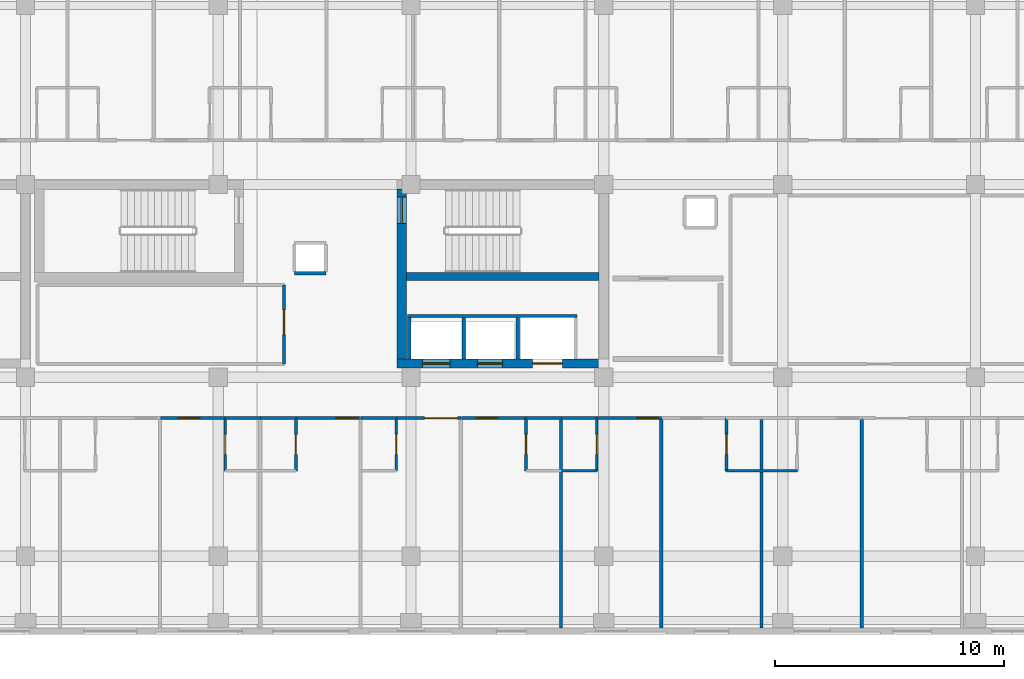
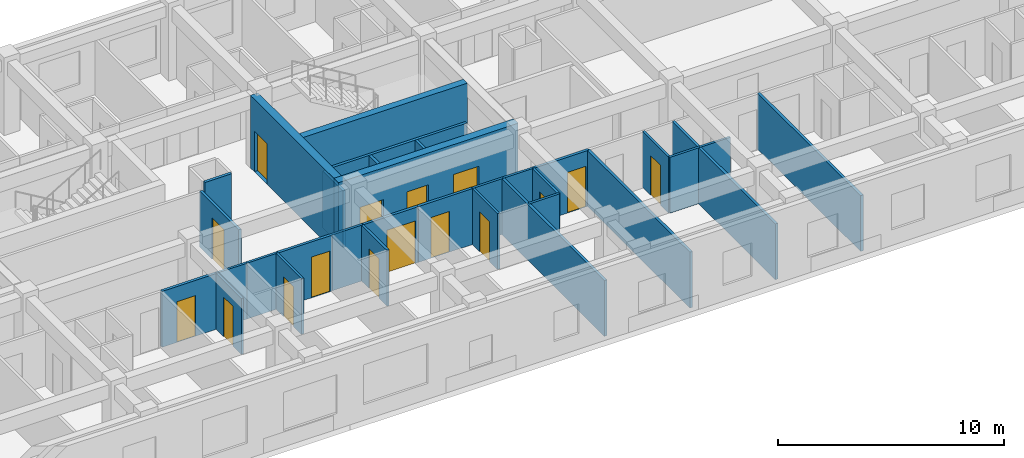
# One storey, part 99 of 127: 32 walls, 16 doors, 16 openings.
"""IFC4 building model written with IfcOpenShell, lengths in metres."""

from ifc_helpers import new_model, si_unit, direction, frame, frame_2d, origin, place, context, subcontext, project, spatial, rectangle, extrude, material, layer, layer_set, type_object, element, fill, save


model = new_model("IFC4")

# Units and contexts
model_context = context("Model", 3, precision=1e-05, world=origin(), true_north=direction((0.0, 1.0)))
body_context = subcontext(model_context, "Body", "Model", "MODEL_VIEW")
ifc_project = project(units=[si_unit("LENGTHUNIT", "METRE"), si_unit("AREAUNIT", "SQUARE_METRE"), si_unit("VOLUMEUNIT", "CUBIC_METRE"), si_unit("PLANEANGLEUNIT", "RADIAN"), si_unit("MASSUNIT", "GRAM", prefix="KILO")], contexts=[model_context])

# Site, building, storey
site_placement = place(None, origin())
site = spatial("IfcSite", under=ifc_project, at=site_placement, CompositionType="ELEMENT")
building_placement = place(site_placement, origin())
building = spatial("IfcBuilding", under=site, at=building_placement, Name="Zayran Congress Hotel", CompositionType="ELEMENT")
storey_placement = place(building_placement, frame((0.0, 0.0, 10.800048828125)))
storey = spatial("IfcBuildingStorey", under=building, at=storey_placement, Name="L02", CompositionType="ELEMENT", Elevation=10.800048828125)

# Wall, openings, doors
ifc_material_1 = material(Name="Concrete C40/50", Category="concrete")
ifc_layer_1 = layer(ifc_material_1, 0.39990234375)
ifc_layer_set_1 = layer_set([ifc_layer_1], Name="Concrete C40/50")
wall_type_1 = type_object("IfcWallType", Name="WL-SH-400", PredefinedType="SHEAR", material=ifc_layer_set_1)
wall_1_placement = place(storey_placement, frame((49.800048828125, 17.800048828125, 0.0), z_axis=(0.0, 0.0, 1.0), x_axis=(1.0, 0.0, 0.0)))
wall_1 = element("IfcWall", 1, at=wall_1_placement, inside=storey, type_object=wall_type_1, Name="CWALL-C-V5E-L02-S", PredefinedType="SHEAR", context=body_context, shape_type="SweptSolid", body=[
    extrude(rectangle(XDim=9.199951171875, YDim=0.39990234375, at=frame_2d((4.60009765625, 0.0))), origin(), (0.0, 0.0, 1.0), 3.919921875),
])
opening_1_placement = place(wall_1_placement, frame((1.10009765625, 0.0, 0.0)))
opening_1 = element("IfcOpeningElement", 2, at=opening_1_placement, cuts=wall_1, Name="Opening LD-FL02", PredefinedType="OPENING", context=body_context, shape_type="SweptSolid", body=[
    extrude(rectangle(XDim=1.199951171875, YDim=2.199951171875, at=frame_2d((0.60009765625, 1.10009765625))), frame((0.0, 0.2099609375, 0.0), z_axis=(0.0, -1.0, 0.0), x_axis=(1.0, 0.0, 0.0)), (0.0, 0.0, 1.0), 0.419921875),
])
opening_2_placement = place(wall_1_placement, frame((3.5, 0.0, 0.0)))
opening_2 = element("IfcOpeningElement", 3, at=opening_2_placement, cuts=wall_1, Name="Opening LD-PL03", PredefinedType="OPENING", context=body_context, shape_type="SweptSolid", body=[
    extrude(rectangle(XDim=1.10009765625, YDim=2.199951171875, at=frame_2d((0.550048828125, 1.10009765625))), frame((0.0, 0.2099609375, 0.0), z_axis=(0.0, -1.0, 0.0), x_axis=(1.0, 0.0, 0.0)), (0.0, 0.0, 1.0), 0.419921875),
])
opening_3_placement = place(wall_1_placement, frame((5.89990234375, 0.0, 0.0)))
opening_3 = element("IfcOpeningElement", 4, at=opening_3_placement, cuts=wall_1, Name="Opening LD-SV01", PredefinedType="OPENING", context=body_context, shape_type="SweptSolid", body=[
    extrude(rectangle(XDim=1.300048828125, YDim=2.300048828125, at=frame_2d((0.64990234375, 1.14990234375))), frame((0.0, 0.2099609375, 0.0), z_axis=(0.0, -1.0, 0.0), x_axis=(1.0, 0.0, 0.0)), (0.0, 0.0, 1.0), 0.419921875),
])
ifc_material_2 = material(Name="Brushed stainless steel sliding lift landing door", Category="steel")
door_type_1 = type_object("IfcDoorType", Name="TP-DR-LD-01", OperationType="DOUBLE_DOOR_SLIDING", PredefinedType="DOOR", material=ifc_material_2)
door_1_placement = place(opening_2_placement, origin())
door_1 = element("IfcDoor", 5, at=door_1_placement, inside=storey, type_object=door_type_1, Name="Lift PL-03 Sliding Landing Door L02", OperationType="DOUBLE_DOOR_SLIDING", OverallHeight=2.199951171875, OverallWidth=1.10009765625, PredefinedType="DOOR", context=body_context, shape_type="SweptSolid", body=[
    extrude(rectangle(XDim=1.10009765625, YDim=2.199951171875, at=frame_2d((0.550048828125, 1.10009765625))), frame((0.0, 0.02490234375, 0.0), z_axis=(0.0, -1.0, 0.0), x_axis=(1.0, 0.0, 0.0)), (0.0, 0.0, 1.0), 0.050048828125),
])
fill(opening_2, door_1)
ifc_material_3 = material(Name="Brushed stainless steel firefighting lift landing door", Category="steel")
door_type_2 = type_object("IfcDoorType", Name="TP-DR-LD-02", OperationType="DOUBLE_DOOR_SLIDING", PredefinedType="DOOR", material=ifc_material_3)
door_2_placement = place(opening_1_placement, origin())
door_2 = element("IfcDoor", 6, at=door_2_placement, inside=storey, type_object=door_type_2, Name="Lift FL-02 Sliding Landing Door L02", OperationType="DOUBLE_DOOR_SLIDING", OverallHeight=2.199951171875, OverallWidth=1.199951171875, PredefinedType="DOOR", context=body_context, shape_type="SweptSolid", body=[
    extrude(rectangle(XDim=1.199951171875, YDim=2.199951171875, at=frame_2d((0.60009765625, 1.10009765625))), frame((0.0, 0.02490234375, 0.0), z_axis=(0.0, -1.0, 0.0), x_axis=(1.0, 0.0, 0.0)), (0.0, 0.0, 1.0), 0.050048828125),
])
fill(opening_1, door_2)
ifc_material_4 = material(Name="Heavy-duty stainless steel service lift landing door", Category="steel")
door_type_3 = type_object("IfcDoorType", Name="TP-DR-LD-03", OperationType="DOUBLE_DOOR_SLIDING", PredefinedType="DOOR", material=ifc_material_4)
door_3_placement = place(opening_3_placement, origin())
door_3 = element("IfcDoor", 7, at=door_3_placement, inside=storey, type_object=door_type_3, Name="Lift SV-01 Sliding Landing Door L02", OperationType="DOUBLE_DOOR_SLIDING", OverallHeight=2.300048828125, OverallWidth=1.300048828125, PredefinedType="DOOR", context=body_context, shape_type="SweptSolid", body=[
    extrude(rectangle(XDim=1.300048828125, YDim=2.300048828125, at=frame_2d((0.64990234375, 1.14990234375))), frame((0.0, 0.02490234375, 0.0), z_axis=(0.0, -1.0, 0.0), x_axis=(1.0, 0.0, 0.0)), (0.0, 0.0, 1.0), 0.050048828125),
])
fill(opening_3, door_3)

# Wall, opening, door
wall_2_placement = place(storey_placement, frame((50.0, 25.39990234375, 0.0), z_axis=(0.0, 0.0, 1.0), x_axis=(0.0, -1.0, 0.0)))
wall_2 = element("IfcWall", 8, at=wall_2_placement, inside=storey, type_object=wall_type_1, Name="CWALL-C-V5E-L02-W", PredefinedType="SHEAR", context=body_context, shape_type="SweptSolid", body=[
    extrude(rectangle(XDim=7.39990234375, YDim=0.39990234375, at=frame_2d((3.699951171875, 0.0))), origin(), (0.0, 0.0, 1.0), 3.919921875),
])
opening_4_placement = place(wall_2_placement, frame((0.35009765625, 0.0, 0.0)))
opening_4 = element("IfcOpeningElement", 9, at=opening_4_placement, cuts=wall_2, Name="Opening DR-FD-90", PredefinedType="OPENING", context=body_context, shape_type="SweptSolid", body=[
    extrude(rectangle(XDim=1.14990234375, YDim=2.199951171875, at=frame_2d((0.574951171875, 1.10009765625))), frame((0.0, 0.2099609375, 0.0), z_axis=(0.0, -1.0, 0.0), x_axis=(1.0, 0.0, 0.0)), (0.0, 0.0, 1.0), 0.419921875),
])
ifc_material_5 = material(Name="Painted steel fire door assembly", Category="steel")
door_type_4 = type_object("IfcDoorType", Name="TP-DR-FD-90", OperationType="NOTDEFINED", PredefinedType="DOOR", material=ifc_material_5)
door_4_placement = place(opening_4_placement, origin())
door_4 = element("IfcDoor", 10, at=door_4_placement, inside=storey, type_object=door_type_4, Name="ST-02 Exit Stair Door L02", OperationType="SINGLE_SWING_LEFT", OverallHeight=2.199951171875, OverallWidth=1.14990234375, PredefinedType="DOOR", context=body_context, shape_type="SweptSolid", body=[
    extrude(rectangle(XDim=1.14990234375, YDim=2.199951171875, at=frame_2d((0.574951171875, 1.10009765625))), frame((0.0, 0.02490234375, 0.0), z_axis=(0.0, -1.0, 0.0), x_axis=(1.0, 0.0, 0.0)), (0.0, 0.0, 1.0), 0.050048828125),
])
fill(opening_4, door_4)

# Walls
ifc_layer_2 = layer(ifc_material_1, 0.35009765625)
ifc_layer_set_2 = layer_set([ifc_layer_2], Name="Concrete C40/50")
wall_type_2 = type_object("IfcWallType", Name="WL-SH-350", PredefinedType="SHEAR", material=ifc_layer_set_2)
wall_3_placement = place(storey_placement, frame((50.199951171875, 21.5849609375, 0.0), z_axis=(0.0, 0.0, 1.0), x_axis=(1.0, 0.0, 0.0)))
element("IfcWall", 11, at=wall_3_placement, inside=storey, type_object=wall_type_2, Name="CWALL-C-V5E-L02-SPN", PredefinedType="SHEAR", context=body_context, shape_type="SweptSolid", body=[
    extrude(rectangle(XDim=8.400146484375, YDim=0.35009765625, at=frame_2d((4.2001953125, 0.0))), origin(), (0.0, 0.0, 1.0), 3.919921875),
])
ifc_material_6 = material(Name="Hospitality guestroom acoustic partition", Category="gypsum")
ifc_layer_3 = layer(ifc_material_6, 0.139892578125)
ifc_layer_set_3 = layer_set([ifc_layer_3], Name="Hospitality guestroom acoustic partition")
wall_type_3 = type_object("IfcWallType", Name="WL-PT-140", PredefinedType="PARTITIONING", material=ifc_layer_set_3)
for number, where, z_axis, x_axis, name in (
    (12, (50.330078125, 18.0, 0.0), (0.0, 0.0, 1.0), (0.0, 1.0, 0.0), "LSHW-C-V5E-L02-W"),
    (13, (52.699951171875, 18.0, 0.0), (0.0, 0.0, 1.0), (0.0, 1.0, 0.0), "LSHW-C-V5E-L02-DIV1"),
    (14, (55.050048828125, 18.0, 0.0), (0.0, 0.0, 1.0), (0.0, 1.0, 0.0), "LSHW-C-V5E-L02-DIV2"),
):
    element("IfcWall", number, at=place(storey_placement, frame(where, z_axis=z_axis, x_axis=x_axis)), inside=storey, type_object=wall_type_3, Name=name, PredefinedType="PARTITIONING", context=body_context, shape_type="SweptSolid", body=[
        extrude(rectangle(XDim=1.800048828125, YDim=0.139892578125, at=frame_2d((0.89990234375, 0.0))), origin(), (0.0, 0.0, 1.0), 3.070068359375),
    ])
wall_4_placement = place(storey_placement, frame((50.260009765625, 19.8701171875, 0.0), z_axis=(0.0, 0.0, 1.0), x_axis=(1.0, 0.0, 0.0)))
element("IfcWall", 15, at=wall_4_placement, inside=storey, type_object=wall_type_3, Name="LSHW-C-V5E-L02-N", PredefinedType="PARTITIONING", context=body_context, shape_type="SweptSolid", body=[
    extrude(rectangle(XDim=7.3798828125, YDim=0.139892578125, at=frame_2d((3.68994140625, 0.0))), origin(), (0.0, 0.0, 1.0), 3.070068359375),
])

# Wall, opening, door
wall_5_placement = place(storey_placement, frame((44.8701171875, 17.77001953125, 0.0), z_axis=(0.0, 0.0, 1.0), x_axis=(0.0, 1.0, 0.0)))
wall_5 = element("IfcWall", 16, at=wall_5_placement, inside=storey, type_object=wall_type_3, Name="IW-L02-0513", PredefinedType="PARTITIONING", context=body_context, shape_type="SweptSolid", body=[
    extrude(rectangle(XDim=3.4599609375, YDim=0.139892578125, at=frame_2d((1.72998046875, 0.0))), origin(), (0.0, 0.0, 1.0), 3.02001953125),
])
opening_5_placement = place(wall_5_placement, frame((1.283935546875, 0.0, 0.0)))
opening_5 = element("IfcOpeningElement", 17, at=opening_5_placement, cuts=wall_5, Name="Opening DR-MT-01", PredefinedType="OPENING", context=body_context, shape_type="SweptSolid", body=[
    extrude(rectangle(XDim=1.080078125, YDim=2.25, at=frame_2d((0.5400390625, 1.125))), frame((0.0, 0.079833984375, 0.0), z_axis=(0.0, -1.0, 0.0), x_axis=(1.0, 0.0, 0.0)), (0.0, 0.0, 1.0), 0.159912109375),
])
ifc_material_7 = material(Name="Acoustic timber seminar room door", Category="wood")
door_type_5 = type_object("IfcDoorType", Name="TP-DR-MT-01", OperationType="NOTDEFINED", PredefinedType="DOOR", material=ifc_material_7)
door_5_placement = place(opening_5_placement, origin())
door_5 = element("IfcDoor", 18, at=door_5_placement, inside=storey, type_object=door_type_5, Name="Hospitality Gallery Lounge L02 Door", OperationType="SINGLE_SWING_RIGHT", OverallHeight=2.25, OverallWidth=1.080078125, PredefinedType="DOOR", context=body_context, shape_type="SweptSolid", body=[
    extrude(rectangle(XDim=1.080078125, YDim=2.25, at=frame_2d((0.5400390625, 1.125))), frame((0.0, 0.02490234375, 0.0), z_axis=(0.0, -1.0, 0.0), x_axis=(1.0, 0.0, 0.0)), (0.0, 0.0, 1.0), 0.050048828125),
])
fill(opening_5, door_5)

wall_6_placement = place(storey_placement, frame((39.489013671875, 15.419921875, 0.0), z_axis=(0.0, 0.0, 1.0), x_axis=(1.0, 0.0, 0.0)))
wall_6 = element("IfcWall", 19, at=wall_6_placement, inside=storey, type_object=wall_type_3, Name="IW-L02-0523", PredefinedType="PARTITIONING", context=body_context, shape_type="SweptSolid", body=[
    extrude(rectangle(XDim=2.819091796875, YDim=0.139892578125, at=frame_2d((1.40966796875, 0.0))), origin(), (0.0, 0.0, 1.0), 3.02001953125),
])
opening_6_placement = place(wall_6_placement, frame((0.76806640625, 0.0, 0.0)))
opening_6 = element("IfcOpeningElement", 20, at=opening_6_placement, cuts=wall_6, Name="Opening DR-GR-01", PredefinedType="OPENING", context=body_context, shape_type="SweptSolid", body=[
    extrude(rectangle(XDim=0.93994140625, YDim=2.199951171875, at=frame_2d((0.469970703125, 1.10009765625))), frame((0.0, 0.079833984375, 0.0), z_axis=(0.0, -1.0, 0.0), x_axis=(1.0, 0.0, 0.0)), (0.0, 0.0, 1.0), 0.159912109375),
])
ifc_material_8 = material(Name="Acoustic walnut veneer fire-rated entry door", Category="wood")
door_type_6 = type_object("IfcDoorType", Name="TP-DR-GR-01", OperationType="NOTDEFINED", PredefinedType="DOOR", material=ifc_material_8)
door_6_placement = place(opening_6_placement, origin())
door_6 = element("IfcDoor", 21, at=door_6_placement, inside=storey, type_object=door_type_6, Name="Guest Room L02-08 Door", OperationType="SINGLE_SWING_LEFT", OverallHeight=2.199951171875, OverallWidth=0.93994140625, PredefinedType="DOOR", context=body_context, shape_type="SweptSolid", body=[
    extrude(rectangle(XDim=0.93994140625, YDim=2.199951171875, at=frame_2d((0.469970703125, 1.10009765625))), frame((0.0, 0.02490234375, 0.0), z_axis=(0.0, -1.0, 0.0), x_axis=(1.0, 0.0, 0.0)), (0.0, 0.0, 1.0), 0.050048828125),
])
fill(opening_6, door_6)

wall_7_placement = place(storey_placement, frame((45.385986328125, 15.419921875, 0.0), z_axis=(0.0, 0.0, 1.0), x_axis=(1.0, 0.0, 0.0)))
wall_7 = element("IfcWall", 22, at=wall_7_placement, inside=storey, type_object=wall_type_3, Name="IW-L02-0524", PredefinedType="PARTITIONING", context=body_context, shape_type="SweptSolid", body=[
    extrude(rectangle(XDim=2.820068359375, YDim=0.139892578125, at=frame_2d((1.41015625, 0.0))), origin(), (0.0, 0.0, 1.0), 3.02001953125),
])
opening_7_placement = place(wall_7_placement, frame((1.739990234375, 0.0, 0.0)))
opening_7 = element("IfcOpeningElement", 23, at=opening_7_placement, cuts=wall_7, Name="Opening DR-GR-01", PredefinedType="OPENING", context=body_context, shape_type="SweptSolid", body=[
    extrude(rectangle(XDim=0.93994140625, YDim=2.199951171875, at=frame_2d((0.469970703125, 1.10009765625))), frame((0.0, 0.079833984375, 0.0), z_axis=(0.0, -1.0, 0.0), x_axis=(1.0, 0.0, 0.0)), (0.0, 0.0, 1.0), 0.159912109375),
])
door_7_placement = place(opening_7_placement, origin())
door_7 = element("IfcDoor", 24, at=door_7_placement, inside=storey, type_object=door_type_6, Name="Guest Room L02-09 Door", OperationType="SINGLE_SWING_RIGHT", OverallHeight=2.199951171875, OverallWidth=0.93994140625, PredefinedType="DOOR", context=body_context, shape_type="SweptSolid", body=[
    extrude(rectangle(XDim=0.93994140625, YDim=2.199951171875, at=frame_2d((0.469970703125, 1.10009765625))), frame((0.0, 0.02490234375, 0.0), z_axis=(0.0, -1.0, 0.0), x_axis=(1.0, 0.0, 0.0)), (0.0, 0.0, 1.0), 0.050048828125),
])
fill(opening_7, door_7)

wall_8_placement = place(storey_placement, frame((49.7548828125, 15.419921875, 0.0), z_axis=(0.0, 0.0, 1.0), x_axis=(1.0, 0.0, 0.0)))
wall_8 = element("IfcWall", 25, at=wall_8_placement, inside=storey, type_object=wall_type_3, Name="IW-L02-0525", PredefinedType="PARTITIONING", context=body_context, shape_type="SweptSolid", body=[
    extrude(rectangle(XDim=2.819091796875, YDim=0.139892578125, at=frame_2d((1.40966796875, 0.0))), origin(), (0.0, 0.0, 1.0), 3.02001953125),
])
opening_8_placement = place(wall_8_placement, frame((1.22900390625, 0.0, 0.0)))
opening_8 = element("IfcOpeningElement", 26, at=opening_8_placement, cuts=wall_8, Name="Opening DR-ST-01", PredefinedType="OPENING", context=body_context, shape_type="SweptSolid", body=[
    extrude(rectangle(XDim=1.449951171875, YDim=2.300048828125, at=frame_2d((0.72509765625, 1.14990234375))), frame((0.0, 0.079833984375, 0.0), z_axis=(0.0, -1.0, 0.0), x_axis=(1.0, 0.0, 0.0)), (0.0, 0.0, 1.0), 0.159912109375),
])
ifc_material_9 = material(Name="Double walnut veneer suite entry door", Category="wood")
door_type_7 = type_object("IfcDoorType", Name="TP-DR-ST-01", OperationType="DOUBLE_DOOR_SINGLE_SWING", PredefinedType="DOOR", material=ifc_material_9)
door_8_placement = place(opening_8_placement, origin())
door_8 = element("IfcDoor", 27, at=door_8_placement, inside=storey, type_object=door_type_7, Name="Junior Suite L02-10 Door", OperationType="DOUBLE_DOOR_SINGLE_SWING", OverallHeight=2.300048828125, OverallWidth=1.449951171875, PredefinedType="DOOR", context=body_context, shape_type="SweptSolid", body=[
    extrude(rectangle(XDim=1.449951171875, YDim=2.300048828125, at=frame_2d((0.72509765625, 1.14990234375))), frame((0.0, 0.02490234375, 0.0), z_axis=(0.0, -1.0, 0.0), x_axis=(1.0, 0.0, 0.0)), (0.0, 0.0, 1.0), 0.050048828125),
])
fill(opening_8, door_8)

wall_9_placement = place(storey_placement, frame((52.593994140625, 15.419921875, 0.0), z_axis=(0.0, 0.0, 1.0), x_axis=(1.0, 0.0, 0.0)))
wall_9 = element("IfcWall", 28, at=wall_9_placement, inside=storey, type_object=wall_type_3, Name="IW-L02-0526", PredefinedType="PARTITIONING", context=body_context, shape_type="SweptSolid", body=[
    extrude(rectangle(XDim=2.820068359375, YDim=0.139892578125, at=frame_2d((1.41015625, 0.0))), origin(), (0.0, 0.0, 1.0), 3.02001953125),
])
opening_9_placement = place(wall_9_placement, frame((0.654052734375, 0.0, 0.0)))
opening_9 = element("IfcOpeningElement", 29, at=opening_9_placement, cuts=wall_9, Name="Opening DR-GR-01", PredefinedType="OPENING", context=body_context, shape_type="SweptSolid", body=[
    extrude(rectangle(XDim=0.93994140625, YDim=2.199951171875, at=frame_2d((0.469970703125, 1.10009765625))), frame((0.0, 0.079833984375, 0.0), z_axis=(0.0, -1.0, 0.0), x_axis=(1.0, 0.0, 0.0)), (0.0, 0.0, 1.0), 0.159912109375),
])
door_9_placement = place(opening_9_placement, origin())
door_9 = element("IfcDoor", 30, at=door_9_placement, inside=storey, type_object=door_type_6, Name="Guest Room L02-11 Door", OperationType="SINGLE_SWING_LEFT", OverallHeight=2.199951171875, OverallWidth=0.93994140625, PredefinedType="DOOR", context=body_context, shape_type="SweptSolid", body=[
    extrude(rectangle(XDim=0.93994140625, YDim=2.199951171875, at=frame_2d((0.469970703125, 1.10009765625))), frame((0.0, 0.02490234375, 0.0), z_axis=(0.0, -1.0, 0.0), x_axis=(1.0, 0.0, 0.0)), (0.0, 0.0, 1.0), 0.050048828125),
])
fill(opening_9, door_9)

wall_10_placement = place(storey_placement, frame((58.491943359375, 15.419921875, 0.0), z_axis=(0.0, 0.0, 1.0), x_axis=(1.0, 0.0, 0.0)))
wall_10 = element("IfcWall", 31, at=wall_10_placement, inside=storey, type_object=wall_type_3, Name="IW-L02-0527", PredefinedType="PARTITIONING", context=body_context, shape_type="SweptSolid", body=[
    extrude(rectangle(XDim=2.819091796875, YDim=0.139892578125, at=frame_2d((1.40966796875, 0.0))), origin(), (0.0, 0.0, 1.0), 3.02001953125),
])
opening_10_placement = place(wall_10_placement, frame((1.739013671875, 0.0, 0.0)))
opening_10 = element("IfcOpeningElement", 32, at=opening_10_placement, cuts=wall_10, Name="Opening DR-GR-01", PredefinedType="OPENING", context=body_context, shape_type="SweptSolid", body=[
    extrude(rectangle(XDim=0.93994140625, YDim=2.199951171875, at=frame_2d((0.469970703125, 1.10009765625))), frame((0.0, 0.079833984375, 0.0), z_axis=(0.0, -1.0, 0.0), x_axis=(1.0, 0.0, 0.0)), (0.0, 0.0, 1.0), 0.159912109375),
])
door_10_placement = place(opening_10_placement, origin())
door_10 = element("IfcDoor", 33, at=door_10_placement, inside=storey, type_object=door_type_6, Name="Guest Room L02-12 Door", OperationType="SINGLE_SWING_RIGHT", OverallHeight=2.199951171875, OverallWidth=0.93994140625, PredefinedType="DOOR", context=body_context, shape_type="SweptSolid", body=[
    extrude(rectangle(XDim=0.93994140625, YDim=2.199951171875, at=frame_2d((0.469970703125, 1.10009765625))), frame((0.0, 0.02490234375, 0.0), z_axis=(0.0, -1.0, 0.0), x_axis=(1.0, 0.0, 0.0)), (0.0, 0.0, 1.0), 0.050048828125),
])
fill(opening_10, door_10)

# Walls
for number, where, z_axis, x_axis, name in (
    (34, (56.943115234375, 6.280029296875, 0.0), (0.0, 0.0, 1.0), (0.0, 1.0, 0.0), "IW-L02-1842"),
    (35, (61.31103515625, 6.280029296875, 0.0), (0.0, 0.0, 1.0), (0.0, 1.0, 0.0), "IW-L02-1843"),
    (36, (65.678955078125, 6.280029296875, 0.0), (0.0, 0.0, 1.0), (0.0, 1.0, 0.0), "IW-L02-1844"),
    (37, (70.048095703125, 6.280029296875, 0.0), (0.0, 0.0, 1.0), (0.0, 1.0, 0.0), "IW-L02-1845"),
):
    element("IfcWall", number, at=place(storey_placement, frame(where, z_axis=z_axis, x_axis=x_axis)), inside=storey, type_object=wall_type_3, Name=name, PredefinedType="PARTITIONING", context=body_context, shape_type="SweptSolid", body=[
        extrude(rectangle(XDim=9.14990234375, YDim=0.139892578125, at=frame_2d((4.574951171875, 0.0))), origin(), (0.0, 0.0, 1.0), 3.02001953125),
    ])
wall_11_placement = place(storey_placement, frame((45.330078125, 21.72998046875, 0.0), z_axis=(0.0, 0.0, 1.0), x_axis=(1.0, 0.0, 0.0)))
element("IfcWall", 38, at=wall_11_placement, inside=storey, type_object=wall_type_3, Name="RSWL-V5-L02-030-S", PredefinedType="PARTITIONING", context=body_context, shape_type="SweptSolid", body=[
    extrude(rectangle(XDim=1.35986328125, YDim=0.139892578125, at=frame_2d((0.679931640625, 0.0))), origin(), (0.0, 0.0, 1.0), 3.0400390625),
])

# Wall, opening, door
ifc_material_10 = material(Name="Moisture-resistant bathroom partition", Category="gypsum")
ifc_layer_4 = layer(ifc_material_10, 0.1201171875)
ifc_layer_set_4 = layer_set([ifc_layer_4], Name="Moisture-resistant bathroom partition")
wall_type_4 = type_object("IfcWallType", Name="WL-PT-120", PredefinedType="PARTITIONING", material=ifc_layer_set_4)
wall_12_placement = place(storey_placement, frame((42.30810546875, 13.1201171875, 0.0), z_axis=(0.0, 0.0, 1.0), x_axis=(0.0, 1.0, 0.0)))
wall_12 = element("IfcWall", 39, at=wall_12_placement, inside=storey, type_object=wall_type_4, Name="IW-L02-0060", PredefinedType="PARTITIONING", context=body_context, shape_type="SweptSolid", body=[
    extrude(rectangle(XDim=2.309814453125, YDim=0.1201171875, at=frame_2d((1.15478515625, 0.0))), origin(), (0.0, 0.0, 1.0), 3.02001953125),
])
opening_11_placement = place(wall_12_placement, frame((0.715087890625, 0.0, 0.0)))
opening_11 = element("IfcOpeningElement", 40, at=opening_11_placement, cuts=wall_12, Name="Opening DR-BT-01", PredefinedType="OPENING", context=body_context, shape_type="SweptSolid", body=[
    extrude(rectangle(XDim=0.8798828125, YDim=2.14990234375, at=frame_2d((0.43994140625, 1.074951171875))), frame((0.0, 0.070068359375, 0.0), z_axis=(0.0, -1.0, 0.0), x_axis=(1.0, 0.0, 0.0)), (0.0, 0.0, 1.0), 0.14013671875),
])
ifc_material_11 = material(Name="Moisture-resistant oak en-suite door", Category="wood")
door_type_8 = type_object("IfcDoorType", Name="TP-DR-BT-01", OperationType="NOTDEFINED", PredefinedType="DOOR", material=ifc_material_11)
door_11_placement = place(opening_11_placement, origin())
door_11 = element("IfcDoor", 41, at=door_11_placement, inside=storey, type_object=door_type_8, Name="En-Suite Bathroom L02-08 Door", OperationType="SINGLE_SWING_LEFT", OverallHeight=2.14990234375, OverallWidth=0.8798828125, PredefinedType="DOOR", context=body_context, shape_type="SweptSolid", body=[
    extrude(rectangle(XDim=0.8798828125, YDim=2.14990234375, at=frame_2d((0.43994140625, 1.074951171875))), frame((0.0, 0.02490234375, 0.0), z_axis=(0.0, -1.0, 0.0), x_axis=(1.0, 0.0, 0.0)), (0.0, 0.0, 1.0), 0.050048828125),
])
fill(opening_11, door_11)

wall_13_placement = place(storey_placement, frame((45.385986328125, 13.1201171875, 0.0), z_axis=(0.0, 0.0, 1.0), x_axis=(0.0, 1.0, 0.0)))
wall_13 = element("IfcWall", 42, at=wall_13_placement, inside=storey, type_object=wall_type_4, Name="IW-L02-0061", PredefinedType="PARTITIONING", context=body_context, shape_type="SweptSolid", body=[
    extrude(rectangle(XDim=2.309814453125, YDim=0.1201171875, at=frame_2d((1.15478515625, 0.0))), origin(), (0.0, 0.0, 1.0), 3.02001953125),
])
opening_12_placement = place(wall_13_placement, frame((0.715087890625, 0.0, 0.0)))
opening_12 = element("IfcOpeningElement", 43, at=opening_12_placement, cuts=wall_13, Name="Opening DR-BT-01", PredefinedType="OPENING", context=body_context, shape_type="SweptSolid", body=[
    extrude(rectangle(XDim=0.8798828125, YDim=2.14990234375, at=frame_2d((0.43994140625, 1.074951171875))), frame((0.0, 0.070068359375, 0.0), z_axis=(0.0, -1.0, 0.0), x_axis=(1.0, 0.0, 0.0)), (0.0, 0.0, 1.0), 0.14013671875),
])
door_12_placement = place(opening_12_placement, origin())
door_12 = element("IfcDoor", 44, at=door_12_placement, inside=storey, type_object=door_type_8, Name="En-Suite Bathroom L02-09 Door", OperationType="SINGLE_SWING_RIGHT", OverallHeight=2.14990234375, OverallWidth=0.8798828125, PredefinedType="DOOR", context=body_context, shape_type="SweptSolid", body=[
    extrude(rectangle(XDim=0.8798828125, YDim=2.14990234375, at=frame_2d((0.43994140625, 1.074951171875))), frame((0.0, 0.02490234375, 0.0), z_axis=(0.0, -1.0, 0.0), x_axis=(1.0, 0.0, 0.0)), (0.0, 0.0, 1.0), 0.050048828125),
])
fill(opening_12, door_12)

wall_14_placement = place(storey_placement, frame((49.7548828125, 13.1201171875, 0.0), z_axis=(0.0, 0.0, 1.0), x_axis=(0.0, 1.0, 0.0)))
wall_14 = element("IfcWall", 45, at=wall_14_placement, inside=storey, type_object=wall_type_4, Name="IW-L02-0062", PredefinedType="PARTITIONING", context=body_context, shape_type="SweptSolid", body=[
    extrude(rectangle(XDim=2.309814453125, YDim=0.1201171875, at=frame_2d((1.15478515625, 0.0))), origin(), (0.0, 0.0, 1.0), 3.02001953125),
])
opening_13_placement = place(wall_14_placement, frame((0.715087890625, 0.0, 0.0)))
opening_13 = element("IfcOpeningElement", 46, at=opening_13_placement, cuts=wall_14, Name="Opening DR-BT-01", PredefinedType="OPENING", context=body_context, shape_type="SweptSolid", body=[
    extrude(rectangle(XDim=0.8798828125, YDim=2.14990234375, at=frame_2d((0.43994140625, 1.074951171875))), frame((0.0, 0.070068359375, 0.0), z_axis=(0.0, -1.0, 0.0), x_axis=(1.0, 0.0, 0.0)), (0.0, 0.0, 1.0), 0.14013671875),
])
door_13_placement = place(opening_13_placement, origin())
door_13 = element("IfcDoor", 47, at=door_13_placement, inside=storey, type_object=door_type_8, Name="En-Suite Bathroom L02-10 Door", OperationType="SINGLE_SWING_LEFT", OverallHeight=2.14990234375, OverallWidth=0.8798828125, PredefinedType="DOOR", context=body_context, shape_type="SweptSolid", body=[
    extrude(rectangle(XDim=0.8798828125, YDim=2.14990234375, at=frame_2d((0.43994140625, 1.074951171875))), frame((0.0, 0.02490234375, 0.0), z_axis=(0.0, -1.0, 0.0), x_axis=(1.0, 0.0, 0.0)), (0.0, 0.0, 1.0), 0.050048828125),
])
fill(opening_13, door_13)

wall_15_placement = place(storey_placement, frame((55.4140625, 13.1201171875, 0.0), z_axis=(0.0, 0.0, 1.0), x_axis=(0.0, 1.0, 0.0)))
wall_15 = element("IfcWall", 48, at=wall_15_placement, inside=storey, type_object=wall_type_4, Name="IW-L02-0063", PredefinedType="PARTITIONING", context=body_context, shape_type="SweptSolid", body=[
    extrude(rectangle(XDim=2.309814453125, YDim=0.1201171875, at=frame_2d((1.15478515625, 0.0))), origin(), (0.0, 0.0, 1.0), 3.02001953125),
])
opening_14_placement = place(wall_15_placement, frame((0.715087890625, 0.0, 0.0)))
opening_14 = element("IfcOpeningElement", 49, at=opening_14_placement, cuts=wall_15, Name="Opening DR-BT-01", PredefinedType="OPENING", context=body_context, shape_type="SweptSolid", body=[
    extrude(rectangle(XDim=0.8798828125, YDim=2.14990234375, at=frame_2d((0.43994140625, 1.074951171875))), frame((0.0, 0.070068359375, 0.0), z_axis=(0.0, -1.0, 0.0), x_axis=(1.0, 0.0, 0.0)), (0.0, 0.0, 1.0), 0.14013671875),
])
door_14_placement = place(opening_14_placement, origin())
door_14 = element("IfcDoor", 50, at=door_14_placement, inside=storey, type_object=door_type_8, Name="En-Suite Bathroom L02-11 Door", OperationType="SINGLE_SWING_RIGHT", OverallHeight=2.14990234375, OverallWidth=0.8798828125, PredefinedType="DOOR", context=body_context, shape_type="SweptSolid", body=[
    extrude(rectangle(XDim=0.8798828125, YDim=2.14990234375, at=frame_2d((0.43994140625, 1.074951171875))), frame((0.0, 0.02490234375, 0.0), z_axis=(0.0, -1.0, 0.0), x_axis=(1.0, 0.0, 0.0)), (0.0, 0.0, 1.0), 0.050048828125),
])
fill(opening_14, door_14)

wall_16_placement = place(storey_placement, frame((58.491943359375, 13.1201171875, 0.0), z_axis=(0.0, 0.0, 1.0), x_axis=(0.0, 1.0, 0.0)))
wall_16 = element("IfcWall", 51, at=wall_16_placement, inside=storey, type_object=wall_type_4, Name="IW-L02-0064", PredefinedType="PARTITIONING", context=body_context, shape_type="SweptSolid", body=[
    extrude(rectangle(XDim=2.309814453125, YDim=0.1201171875, at=frame_2d((1.15478515625, 0.0))), origin(), (0.0, 0.0, 1.0), 3.02001953125),
])
opening_15_placement = place(wall_16_placement, frame((0.715087890625, 0.0, 0.0)))
opening_15 = element("IfcOpeningElement", 52, at=opening_15_placement, cuts=wall_16, Name="Opening DR-BT-01", PredefinedType="OPENING", context=body_context, shape_type="SweptSolid", body=[
    extrude(rectangle(XDim=0.8798828125, YDim=2.14990234375, at=frame_2d((0.43994140625, 1.074951171875))), frame((0.0, 0.070068359375, 0.0), z_axis=(0.0, -1.0, 0.0), x_axis=(1.0, 0.0, 0.0)), (0.0, 0.0, 1.0), 0.14013671875),
])
door_15_placement = place(opening_15_placement, origin())
door_15 = element("IfcDoor", 53, at=door_15_placement, inside=storey, type_object=door_type_8, Name="En-Suite Bathroom L02-12 Door", OperationType="SINGLE_SWING_LEFT", OverallHeight=2.14990234375, OverallWidth=0.8798828125, PredefinedType="DOOR", context=body_context, shape_type="SweptSolid", body=[
    extrude(rectangle(XDim=0.8798828125, YDim=2.14990234375, at=frame_2d((0.43994140625, 1.074951171875))), frame((0.0, 0.02490234375, 0.0), z_axis=(0.0, -1.0, 0.0), x_axis=(1.0, 0.0, 0.0)), (0.0, 0.0, 1.0), 0.050048828125),
])
fill(opening_15, door_15)

wall_17_placement = place(storey_placement, frame((64.14990234375, 13.1201171875, 0.0), z_axis=(0.0, 0.0, 1.0), x_axis=(0.0, 1.0, 0.0)))
wall_17 = element("IfcWall", 54, at=wall_17_placement, inside=storey, type_object=wall_type_4, Name="IW-L02-0065", PredefinedType="PARTITIONING", context=body_context, shape_type="SweptSolid", body=[
    extrude(rectangle(XDim=2.309814453125, YDim=0.1201171875, at=frame_2d((1.15478515625, 0.0))), origin(), (0.0, 0.0, 1.0), 3.02001953125),
])
opening_16_placement = place(wall_17_placement, frame((0.715087890625, 0.0, 0.0)))
opening_16 = element("IfcOpeningElement", 55, at=opening_16_placement, cuts=wall_17, Name="Opening DR-BT-01", PredefinedType="OPENING", context=body_context, shape_type="SweptSolid", body=[
    extrude(rectangle(XDim=0.8798828125, YDim=2.14990234375, at=frame_2d((0.43994140625, 1.074951171875))), frame((0.0, 0.070068359375, 0.0), z_axis=(0.0, -1.0, 0.0), x_axis=(1.0, 0.0, 0.0)), (0.0, 0.0, 1.0), 0.14013671875),
])
door_16_placement = place(opening_16_placement, origin())
door_16 = element("IfcDoor", 56, at=door_16_placement, inside=storey, type_object=door_type_8, Name="En-Suite Bathroom L02-13 Door", OperationType="SINGLE_SWING_RIGHT", OverallHeight=2.14990234375, OverallWidth=0.8798828125, PredefinedType="DOOR", context=body_context, shape_type="SweptSolid", body=[
    extrude(rectangle(XDim=0.8798828125, YDim=2.14990234375, at=frame_2d((0.43994140625, 1.074951171875))), frame((0.0, 0.02490234375, 0.0), z_axis=(0.0, -1.0, 0.0), x_axis=(1.0, 0.0, 0.0)), (0.0, 0.0, 1.0), 0.050048828125),
])
fill(opening_16, door_16)

# Walls
wall_18_placement = place(storey_placement, frame((42.298095703125, 15.419921875, 0.0), z_axis=(0.0, 0.0, 1.0), x_axis=(1.0, 0.0, 0.0)))
element("IfcWall", 57, at=wall_18_placement, inside=storey, type_object=wall_type_4, Name="IW-L02-0988", PredefinedType="PARTITIONING", context=body_context, shape_type="SweptSolid", body=[
    extrude(rectangle(XDim=1.548828125, YDim=0.1201171875, at=frame_2d((0.7744140625, 0.0))), origin(), (0.0, 0.0, 1.0), 3.02001953125),
])
wall_19_placement = place(storey_placement, frame((43.846923828125, 15.419921875, 0.0), z_axis=(0.0, 0.0, 1.0), x_axis=(1.0, 0.0, 0.0)))
element("IfcWall", 58, at=wall_19_placement, inside=storey, type_object=wall_type_4, Name="IW-L02-0990", PredefinedType="PARTITIONING", context=body_context, shape_type="SweptSolid", body=[
    extrude(rectangle(XDim=1.549072265625, YDim=0.1201171875, at=frame_2d((0.7744140625, 0.0))), origin(), (0.0, 0.0, 1.0), 3.02001953125),
])
for number, where, z_axis, x_axis, name in (
    (59, (48.216064453125, 15.419921875, 0.0), (0.0, 0.0, 1.0), (1.0, 0.0, 0.0), "IW-L02-0992"),
    (60, (55.404052734375, 15.419921875, 0.0), (0.0, 0.0, 1.0), (1.0, 0.0, 0.0), "IW-L02-0994"),
):
    element("IfcWall", number, at=place(storey_placement, frame(where, z_axis=z_axis, x_axis=x_axis)), inside=storey, type_object=wall_type_4, Name=name, PredefinedType="PARTITIONING", context=body_context, shape_type="SweptSolid", body=[
        extrude(rectangle(XDim=1.548828125, YDim=0.1201171875, at=frame_2d((0.7744140625, 0.0))), origin(), (0.0, 0.0, 1.0), 3.02001953125),
    ])
wall_20_placement = place(storey_placement, frame((56.952880859375, 13.1298828125, 0.0), z_axis=(0.0, 0.0, 1.0), x_axis=(1.0, 0.0, 0.0)))
element("IfcWall", 61, at=wall_20_placement, inside=storey, type_object=wall_type_4, Name="IW-L02-0995", PredefinedType="PARTITIONING", context=body_context, shape_type="SweptSolid", body=[
    extrude(rectangle(XDim=1.549072265625, YDim=0.1201171875, at=frame_2d((0.7744140625, 0.0))), origin(), (0.0, 0.0, 1.0), 3.02001953125),
])
wall_21_placement = place(storey_placement, frame((56.952880859375, 15.419921875, 0.0), z_axis=(0.0, 0.0, 1.0), x_axis=(1.0, 0.0, 0.0)))
element("IfcWall", 62, at=wall_21_placement, inside=storey, type_object=wall_type_4, Name="IW-L02-0996", PredefinedType="PARTITIONING", context=body_context, shape_type="SweptSolid", body=[
    extrude(rectangle(XDim=1.5390625, YDim=0.1201171875, at=frame_2d((0.76953125, 0.0))), origin(), (0.0, 0.0, 1.0), 3.02001953125),
])
for number, where, z_axis, x_axis, name in (
    (63, (64.139892578125, 13.1298828125, 0.0), (0.0, 0.0, 1.0), (1.0, 0.0, 0.0), "IW-L02-0997"),
    (64, (65.68896484375, 13.1298828125, 0.0), (0.0, 0.0, 1.0), (1.0, 0.0, 0.0), "IW-L02-0999"),
):
    element("IfcWall", number, at=place(storey_placement, frame(where, z_axis=z_axis, x_axis=x_axis)), inside=storey, type_object=wall_type_4, Name=name, PredefinedType="PARTITIONING", context=body_context, shape_type="SweptSolid", body=[
        extrude(rectangle(XDim=1.549072265625, YDim=0.1201171875, at=frame_2d((0.7744140625, 0.0))), origin(), (0.0, 0.0, 1.0), 3.02001953125),
    ])

save(model, "model.ifc")
